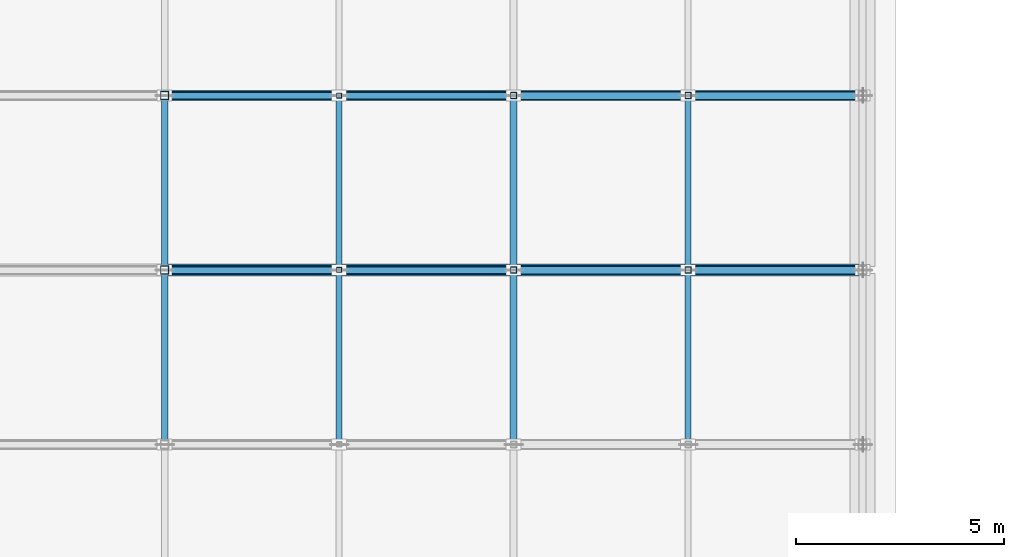
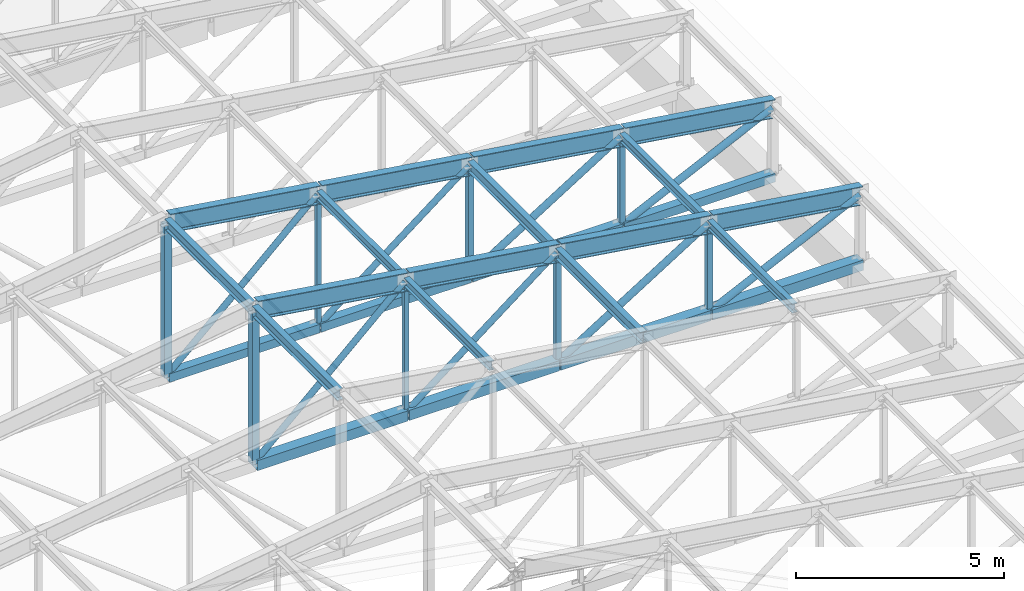
# One storey, part 33 of 122: 40 members.
"""IFC4 building model written with IfcOpenShell, lengths in metres."""

from ifc_helpers import new_model, si_unit, direction, frame, origin, origin_2d, place, context, subcontext, project, spatial, hollow_rectangle, hollow_circle, i_section, extrude, material, material_profile, profile_set, type_object, element, save


model = new_model("IFC4")

# Units and contexts
model_context = context("Model", 3, precision=1e-05, world=origin(), true_north=direction((0.0, 1.0)))
body_context = subcontext(model_context, "Body", "Model", "MODEL_VIEW")
ifc_project = project(units=[si_unit("LENGTHUNIT", "METRE"), si_unit("AREAUNIT", "SQUARE_METRE"), si_unit("VOLUMEUNIT", "CUBIC_METRE"), si_unit("PLANEANGLEUNIT", "RADIAN"), si_unit("MASSUNIT", "GRAM", prefix="KILO")], contexts=[model_context])

# Site, building, storey
site_placement = place(None, origin())
site = spatial("IfcSite", under=ifc_project, at=site_placement, CompositionType="ELEMENT")
building_placement = place(site_placement, origin())
building = spatial("IfcBuilding", under=site, at=building_placement, Name="Telukmera Botanical Conservatory", CompositionType="ELEMENT")
storey_placement = place(building_placement, frame((0.0, 0.0, 10.199951171875)))
storey = spatial("IfcBuildingStorey", under=building, at=storey_placement, Name="L02", CompositionType="ELEMENT", Elevation=10.199951171875)

# Members
ifc_material = material(Name="Steel S355", Category="steel")
ifc_material_profile_1 = material_profile(ifc_material, i_section(OverallWidth=0.210693359375, OverallDepth=0.53955078125, WebThickness=0.01171875, FlangeThickness=0.018798828125, FilletRadius=0.0126953125, at=origin_2d()), Name="UB 533x210x109")
ifc_profile_set_1 = profile_set([ifc_material_profile_1], Name="Steel S355")
member_type_1 = type_object("IfcMemberType", Name="Mem_TC1", PredefinedType="CHORD", material=ifc_profile_set_1)
member_1_placement = place(storey_placement, frame((25.2197265625, 100.0, 4.427734375), z_axis=(0.989022603236, 0.0, -0.147764306545), x_axis=(0.0, 1.0, 0.0)))
element("IfcMember", 1, at=member_1_placement, inside=storey, type_object=member_type_1, Name="Auditorium Pratt Truss Top Chord T5-5", PredefinedType="CHORD", context=body_context, shape_type="SweptSolid", body=[
    extrude(i_section(OverallWidth=0.210693359375, OverallDepth=0.53955078125, WebThickness=0.01171875, FlangeThickness=0.018798828125, FilletRadius=0.0126953125, at=origin_2d()), origin(), (0.0, 0.0, 1.0), 4.20654296875),
])
member_2_placement = place(storey_placement, frame((29.419921875, 100.0, 3.800048828125), z_axis=(0.989021335912, 0.0, -0.147772788805), x_axis=(0.0, 1.0, 0.0)))
element("IfcMember", 2, at=member_2_placement, inside=storey, type_object=member_type_1, Name="Auditorium Pratt Truss Top Chord T5-6", PredefinedType="CHORD", context=body_context, shape_type="SweptSolid", body=[
    extrude(i_section(OverallWidth=0.210693359375, OverallDepth=0.53955078125, WebThickness=0.01171875, FlangeThickness=0.018798828125, FilletRadius=0.0126953125, at=origin_2d()), origin(), (0.0, 0.0, 1.0), 4.206298828125),
])
for number, where, z_axis, x_axis, name in (
    (3, (33.619873046875, 100.0, 3.17236328125), (0.989022603236, 0.0, -0.147764306545), (0.0, 1.0, 0.0), "Auditorium Pratt Truss Top Chord T5-7"),
    (4, (37.81982421875, 100.0, 2.544677734375), (0.989022603236, 0.0, -0.147764306545), (0.0, 1.0, 0.0), "Auditorium Pratt Truss Top Chord T5-8"),
    (5, (25.2197265625, 104.199951171875, 4.427734375), (0.989022603236, 0.0, -0.147764306545), (0.0, 1.0, 0.0), "Auditorium Pratt Truss Top Chord T6-5"),
):
    element("IfcMember", number, at=place(storey_placement, frame(where, z_axis=z_axis, x_axis=x_axis)), inside=storey, type_object=member_type_1, Name=name, PredefinedType="CHORD", context=body_context, shape_type="SweptSolid", body=[
        extrude(i_section(OverallWidth=0.210693359375, OverallDepth=0.53955078125, WebThickness=0.01171875, FlangeThickness=0.018798828125, FilletRadius=0.0126953125, at=origin_2d()), origin(), (0.0, 0.0, 1.0), 4.20654296875),
    ])
member_3_placement = place(storey_placement, frame((29.419921875, 104.199951171875, 3.800048828125), z_axis=(0.989021335912, 0.0, -0.147772788805), x_axis=(0.0, 1.0, 0.0)))
element("IfcMember", 6, at=member_3_placement, inside=storey, type_object=member_type_1, Name="Auditorium Pratt Truss Top Chord T6-6", PredefinedType="CHORD", context=body_context, shape_type="SweptSolid", body=[
    extrude(i_section(OverallWidth=0.210693359375, OverallDepth=0.53955078125, WebThickness=0.01171875, FlangeThickness=0.018798828125, FilletRadius=0.0126953125, at=origin_2d()), origin(), (0.0, 0.0, 1.0), 4.206298828125),
])
for number, where, z_axis, x_axis, name in (
    (7, (33.619873046875, 104.199951171875, 3.17236328125), (0.989022603236, 0.0, -0.147764306545), (0.0, 1.0, 0.0), "Auditorium Pratt Truss Top Chord T6-7"),
    (8, (37.81982421875, 104.199951171875, 2.544677734375), (0.989022603236, 0.0, -0.147764306545), (0.0, 1.0, 0.0), "Auditorium Pratt Truss Top Chord T6-8"),
):
    element("IfcMember", number, at=place(storey_placement, frame(where, z_axis=z_axis, x_axis=x_axis)), inside=storey, type_object=member_type_1, Name=name, PredefinedType="CHORD", context=body_context, shape_type="SweptSolid", body=[
        extrude(i_section(OverallWidth=0.210693359375, OverallDepth=0.53955078125, WebThickness=0.01171875, FlangeThickness=0.018798828125, FilletRadius=0.0126953125, at=origin_2d()), origin(), (0.0, 0.0, 1.0), 4.20654296875),
    ])
ifc_material_profile_2 = material_profile(ifc_material, hollow_rectangle(XDim=0.25, YDim=0.25, WallThickness=0.012451171875, at=origin_2d()), Name="SHS 250x250x12.5")
ifc_profile_set_2 = profile_set([ifc_material_profile_2], Name="Steel S355")
member_type_2 = type_object("IfcMemberType", Name="Mem_TC2", PredefinedType="CHORD", material=ifc_profile_set_2)
member_4_placement = place(storey_placement, frame((25.219970703125, 104.199951171875, -0.079833984375), z_axis=(1.0, 0.0, 0.0), x_axis=(0.0, 1.0, 0.0)))
element("IfcMember", 9, at=member_4_placement, inside=storey, type_object=member_type_2, Name="Auditorium Pratt Truss Bottom Chord T6-5", PredefinedType="CHORD", context=body_context, shape_type="SweptSolid", body=[
    extrude(hollow_rectangle(XDim=0.25, YDim=0.25, WallThickness=0.012451171875, at=origin_2d()), origin(), (0.0, 0.0, 1.0), 4.159912109375),
])
member_5_placement = place(storey_placement, frame((29.419921875, 104.199951171875, -0.079833984375), z_axis=(1.0, 0.0, 0.0), x_axis=(0.0, 1.0, 0.0)))
element("IfcMember", 10, at=member_5_placement, inside=storey, type_object=member_type_2, Name="Auditorium Pratt Truss Bottom Chord T6-6", PredefinedType="CHORD", context=body_context, shape_type="SweptSolid", body=[
    extrude(hollow_rectangle(XDim=0.25, YDim=0.25, WallThickness=0.012451171875, at=origin_2d()), origin(), (0.0, 0.0, 1.0), 4.16015625),
])
member_6_placement = place(storey_placement, frame((33.6201171875, 104.199951171875, -0.079833984375), z_axis=(1.0, 0.0, 0.0), x_axis=(0.0, 1.0, 0.0)))
element("IfcMember", 11, at=member_6_placement, inside=storey, type_object=member_type_2, Name="Auditorium Pratt Truss Bottom Chord T6-7", PredefinedType="CHORD", context=body_context, shape_type="SweptSolid", body=[
    extrude(hollow_rectangle(XDim=0.25, YDim=0.25, WallThickness=0.012451171875, at=origin_2d()), origin(), (0.0, 0.0, 1.0), 4.159912109375),
])
member_7_placement = place(storey_placement, frame((37.820068359375, 104.199951171875, -0.079833984375), z_axis=(1.0, 0.0, 0.0), x_axis=(0.0, 1.0, 0.0)))
element("IfcMember", 12, at=member_7_placement, inside=storey, type_object=member_type_2, Name="Auditorium Pratt Truss Bottom Chord T6-8", PredefinedType="CHORD", context=body_context, shape_type="SweptSolid", body=[
    extrude(hollow_rectangle(XDim=0.25, YDim=0.25, WallThickness=0.012451171875, at=origin_2d()), origin(), (0.0, 0.0, 1.0), 4.179931640625),
])
ifc_material_profile_3 = material_profile(ifc_material, hollow_rectangle(XDim=0.300048828125, YDim=0.300048828125, WallThickness=0.012451171875, at=origin_2d()), Name="SHS 300x300x12.5")
ifc_profile_set_3 = profile_set([ifc_material_profile_3], Name="Steel S355")
member_type_3 = type_object("IfcMemberType", Name="Mem_TC3", PredefinedType="CHORD", material=ifc_profile_set_3)
member_8_placement = place(storey_placement, frame((25.219970703125, 100.0, -0.079833984375), z_axis=(1.0, 0.0, 0.0), x_axis=(0.0, 1.0, 0.0)))
element("IfcMember", 13, at=member_8_placement, inside=storey, type_object=member_type_3, Name="Auditorium Pratt Truss Bottom Chord T5-5", PredefinedType="CHORD", context=body_context, shape_type="SweptSolid", body=[
    extrude(hollow_rectangle(XDim=0.300048828125, YDim=0.300048828125, WallThickness=0.012451171875, at=origin_2d()), origin(), (0.0, 0.0, 1.0), 4.159912109375),
])
member_9_placement = place(storey_placement, frame((29.419921875, 100.0, -0.079833984375), z_axis=(1.0, 0.0, 0.0), x_axis=(0.0, 1.0, 0.0)))
element("IfcMember", 14, at=member_9_placement, inside=storey, type_object=member_type_3, Name="Auditorium Pratt Truss Bottom Chord T5-6", PredefinedType="CHORD", context=body_context, shape_type="SweptSolid", body=[
    extrude(hollow_rectangle(XDim=0.300048828125, YDim=0.300048828125, WallThickness=0.012451171875, at=origin_2d()), origin(), (0.0, 0.0, 1.0), 4.16015625),
])
member_10_placement = place(storey_placement, frame((33.6201171875, 100.0, -0.079833984375), z_axis=(1.0, 0.0, 0.0), x_axis=(0.0, 1.0, 0.0)))
element("IfcMember", 15, at=member_10_placement, inside=storey, type_object=member_type_3, Name="Auditorium Pratt Truss Bottom Chord T5-7", PredefinedType="CHORD", context=body_context, shape_type="SweptSolid", body=[
    extrude(hollow_rectangle(XDim=0.300048828125, YDim=0.300048828125, WallThickness=0.012451171875, at=origin_2d()), origin(), (0.0, 0.0, 1.0), 4.159912109375),
])
member_11_placement = place(storey_placement, frame((37.820068359375, 100.0, -0.079833984375), z_axis=(1.0, 0.0, 0.0), x_axis=(0.0, 1.0, 0.0)))
element("IfcMember", 16, at=member_11_placement, inside=storey, type_object=member_type_3, Name="Auditorium Pratt Truss Bottom Chord T5-8", PredefinedType="CHORD", context=body_context, shape_type="SweptSolid", body=[
    extrude(hollow_rectangle(XDim=0.300048828125, YDim=0.300048828125, WallThickness=0.012451171875, at=origin_2d()), origin(), (0.0, 0.0, 1.0), 4.179931640625),
])
ifc_material_profile_4 = material_profile(ifc_material, hollow_circle(Radius=0.096923828125, WallThickness=0.008056640625, at=origin_2d()), Name="CHS 193.7x8.0")
ifc_profile_set_4 = profile_set([ifc_material_profile_4], Name="Steel S355")
member_type_4 = type_object("IfcMemberType", Name="Mem_TD1", PredefinedType="BRACE", material=ifc_profile_set_4)
member_12_placement = place(storey_placement, frame((33.62548828125, 100.0, -0.06396484375), z_axis=(0.84777122797, 0.0, 0.530362088601), x_axis=(0.0, 1.0, 0.0)))
element("IfcMember", 17, at=member_12_placement, inside=storey, type_object=member_type_4, Name="Auditorium Pratt Truss Web Diagonal T5-D7", PredefinedType="BRACE", context=body_context, shape_type="SweptSolid", body=[
    extrude(hollow_circle(Radius=0.096923828125, WallThickness=0.008056640625, at=origin_2d()), origin(), (0.0, 0.0, 1.0), 4.894287109375),
])
member_13_placement = place(storey_placement, frame((37.8271484375, 100.0, -0.067138671875), z_axis=(0.902843811044, 0.0, 0.429968664973), x_axis=(0.0, 1.0, 0.0)))
element("IfcMember", 18, at=member_13_placement, inside=storey, type_object=member_type_4, Name="Auditorium Pratt Truss Web Diagonal T5-D8", PredefinedType="BRACE", context=body_context, shape_type="SweptSolid", body=[
    extrude(hollow_circle(Radius=0.096923828125, WallThickness=0.008056640625, at=origin_2d()), origin(), (0.0, 0.0, 1.0), 4.591796875),
])
member_14_placement = place(storey_placement, frame((33.62548828125, 104.199951171875, -0.06396484375), z_axis=(0.84777122797, 0.0, 0.530362088601), x_axis=(0.0, 1.0, 0.0)))
element("IfcMember", 19, at=member_14_placement, inside=storey, type_object=member_type_4, Name="Auditorium Pratt Truss Web Diagonal T6-D7", PredefinedType="BRACE", context=body_context, shape_type="SweptSolid", body=[
    extrude(hollow_circle(Radius=0.096923828125, WallThickness=0.008056640625, at=origin_2d()), origin(), (0.0, 0.0, 1.0), 4.894287109375),
])
member_15_placement = place(storey_placement, frame((37.8271484375, 104.199951171875, -0.067138671875), z_axis=(0.902843811044, 0.0, 0.429968664973), x_axis=(0.0, 1.0, 0.0)))
element("IfcMember", 20, at=member_15_placement, inside=storey, type_object=member_type_4, Name="Auditorium Pratt Truss Web Diagonal T6-D8", PredefinedType="BRACE", context=body_context, shape_type="SweptSolid", body=[
    extrude(hollow_circle(Radius=0.096923828125, WallThickness=0.008056640625, at=origin_2d()), origin(), (0.0, 0.0, 1.0), 4.591796875),
])
ifc_material_profile_5 = material_profile(ifc_material, hollow_circle(Radius=0.084228515625, WallThickness=0.008056640625, at=origin_2d()), Name="CHS 168.3x8.0")
ifc_profile_set_5 = profile_set([ifc_material_profile_5], Name="Steel S355")
member_type_5 = type_object("IfcMemberType", Name="Mem_TD2", PredefinedType="BRACE", material=ifc_profile_set_5)
member_16_placement = place(storey_placement, frame((25.221923828125, 100.0, -0.0595703125), z_axis=(0.734277342079, 0.0, 0.678849604044), x_axis=(0.0, 1.0, 0.0)))
element("IfcMember", 21, at=member_16_placement, inside=storey, type_object=member_type_5, Name="Auditorium Pratt Truss Web Diagonal T5-D5", PredefinedType="BRACE", context=body_context, shape_type="SweptSolid", body=[
    extrude(hollow_circle(Radius=0.084228515625, WallThickness=0.008056640625, at=origin_2d()), origin(), (0.0, 0.0, 1.0), 5.659912109375),
])
member_17_placement = place(storey_placement, frame((29.423583984375, 100.0, -0.0615234375), z_axis=(0.790409427435, 0.0, 0.612578923097), x_axis=(0.0, 1.0, 0.0)))
element("IfcMember", 22, at=member_17_placement, inside=storey, type_object=member_type_5, Name="Auditorium Pratt Truss Web Diagonal T5-D6", PredefinedType="BRACE", context=body_context, shape_type="SweptSolid", body=[
    extrude(hollow_circle(Radius=0.084228515625, WallThickness=0.008056640625, at=origin_2d()), origin(), (0.0, 0.0, 1.0), 5.25390625),
])
member_18_placement = place(storey_placement, frame((25.221923828125, 104.199951171875, -0.0595703125), z_axis=(0.734277342079, 0.0, 0.678849604044), x_axis=(0.0, 1.0, 0.0)))
element("IfcMember", 23, at=member_18_placement, inside=storey, type_object=member_type_5, Name="Auditorium Pratt Truss Web Diagonal T6-D5", PredefinedType="BRACE", context=body_context, shape_type="SweptSolid", body=[
    extrude(hollow_circle(Radius=0.084228515625, WallThickness=0.008056640625, at=origin_2d()), origin(), (0.0, 0.0, 1.0), 5.659912109375),
])
member_19_placement = place(storey_placement, frame((29.423583984375, 104.199951171875, -0.0615234375), z_axis=(0.790409427435, 0.0, 0.612578923097), x_axis=(0.0, 1.0, 0.0)))
element("IfcMember", 24, at=member_19_placement, inside=storey, type_object=member_type_5, Name="Auditorium Pratt Truss Web Diagonal T6-D6", PredefinedType="BRACE", context=body_context, shape_type="SweptSolid", body=[
    extrude(hollow_circle(Radius=0.084228515625, WallThickness=0.008056640625, at=origin_2d()), origin(), (0.0, 0.0, 1.0), 5.25390625),
])
ifc_material_profile_6 = material_profile(ifc_material, i_section(OverallWidth=0.165771484375, OverallDepth=0.306640625, WebThickness=0.006591796875, FlangeThickness=0.01171875, FilletRadius=0.0087890625, at=origin_2d()), Name="UB 305x165x46")
ifc_profile_set_6 = profile_set([ifc_material_profile_6], Name="Steel S355")
member_type_6 = type_object("IfcMemberType", Name="Mem_TPB1", PredefinedType="PURLIN", material=ifc_profile_set_6)
for number, where, z_axis, x_axis, name in (
    (25, (25.199951171875, 95.860107421875, 4.430908203125), (0.0, 1.0, 0.0), (-1.0, 0.0, 0.0), "Auditorium Roof Steel Purlin P4-4"),
    (26, (33.60009765625, 95.860107421875, 3.175537109375), (0.0, 1.0, 0.0), (-1.0, 0.0, 0.0), "Auditorium Roof Steel Purlin P4-6"),
    (27, (25.199951171875, 100.06005859375, 4.430908203125), (0.0, 1.0, 0.0), (-1.0, 0.0, 0.0), "Auditorium Roof Steel Purlin P5-4"),
    (28, (33.60009765625, 100.06005859375, 3.175537109375), (0.0, 1.0, 0.0), (-1.0, 0.0, 0.0), "Auditorium Roof Steel Purlin P5-6"),
):
    element("IfcMember", number, at=place(storey_placement, frame(where, z_axis=z_axis, x_axis=x_axis)), inside=storey, type_object=member_type_6, Name=name, PredefinedType="PURLIN", context=body_context, shape_type="SweptSolid", body=[
        extrude(i_section(OverallWidth=0.165771484375, OverallDepth=0.306640625, WebThickness=0.006591796875, FlangeThickness=0.01171875, FilletRadius=0.0087890625, at=origin_2d()), origin(), (0.0, 0.0, 1.0), 4.079833984375),
    ])
ifc_material_profile_7 = material_profile(ifc_material, i_section(OverallWidth=0.146484375, OverallDepth=0.256103515625, WebThickness=0.00634765625, FlangeThickness=0.010986328125, FilletRadius=0.007568359375, at=origin_2d()), Name="UB 254x146x37")
ifc_profile_set_7 = profile_set([ifc_material_profile_7], Name="Steel S355")
member_type_7 = type_object("IfcMemberType", Name="Mem_TPB2", PredefinedType="PURLIN", material=ifc_profile_set_7)
for number, where, z_axis, x_axis, name in (
    (29, (29.39990234375, 95.860107421875, 3.80322265625), (0.0, 1.0, 0.0), (-1.0, 0.0, 0.0), "Auditorium Roof Steel Purlin P4-5"),
    (30, (37.800048828125, 95.860107421875, 2.5478515625), (0.0, 1.0, 0.0), (-1.0, 0.0, 0.0), "Auditorium Roof Steel Purlin P4-7"),
    (31, (29.39990234375, 100.06005859375, 3.80322265625), (0.0, 1.0, 0.0), (-1.0, 0.0, 0.0), "Auditorium Roof Steel Purlin P5-5"),
    (32, (37.800048828125, 100.06005859375, 2.5478515625), (0.0, 1.0, 0.0), (-1.0, 0.0, 0.0), "Auditorium Roof Steel Purlin P5-7"),
):
    element("IfcMember", number, at=place(storey_placement, frame(where, z_axis=z_axis, x_axis=x_axis)), inside=storey, type_object=member_type_7, Name=name, PredefinedType="PURLIN", context=body_context, shape_type="SweptSolid", body=[
        extrude(i_section(OverallWidth=0.146484375, OverallDepth=0.256103515625, WebThickness=0.00634765625, FlangeThickness=0.010986328125, FilletRadius=0.007568359375, at=origin_2d()), origin(), (0.0, 0.0, 1.0), 4.079833984375),
    ])
ifc_material_profile_8 = material_profile(ifc_material, hollow_rectangle(XDim=0.199951171875, YDim=0.199951171875, WallThickness=0.010009765625, at=origin_2d()), Name="SHS 200x200x10.0")
ifc_profile_set_8 = profile_set([ifc_material_profile_8], Name="Steel S355")
member_type_8 = type_object("IfcMemberType", Name="Mem_TV1", PredefinedType="POST", material=ifc_profile_set_8)
for number, where, z_axis, x_axis, name in (
    (33, (25.199951171875, 100.0, -0.06005859375), (0.0, 0.0, 1.0), (1.0, 0.0, 0.0), "Auditorium Pratt Truss Vertical T5-V4"),
    (34, (25.199951171875, 104.199951171875, -0.06005859375), (0.0, 0.0, 1.0), (1.0, 0.0, 0.0), "Auditorium Pratt Truss Vertical T6-V4"),
):
    element("IfcMember", number, at=place(storey_placement, frame(where, z_axis=z_axis, x_axis=x_axis)), inside=storey, type_object=member_type_8, Name=name, PredefinedType="POST", context=body_context, shape_type="SweptSolid", body=[
        extrude(hollow_rectangle(XDim=0.199951171875, YDim=0.199951171875, WallThickness=0.010009765625, at=origin_2d()), origin(), (0.0, 0.0, 1.0), 4.470947265625),
    ])
ifc_material_profile_9 = material_profile(ifc_material, hollow_rectangle(XDim=0.14990234375, YDim=0.14990234375, WallThickness=0.008056640625, at=origin_2d()), Name="SHS 150x150x8.0")
ifc_profile_set_9 = profile_set([ifc_material_profile_9], Name="Steel S355")
member_type_9 = type_object("IfcMemberType", Name="Mem_TV2", PredefinedType="POST", material=ifc_profile_set_9)
member_20_placement = place(storey_placement, frame((33.60009765625, 100.0, -0.06005859375), z_axis=(0.0, 0.0, 1.0), x_axis=(1.0, 0.0, 0.0)))
element("IfcMember", 35, at=member_20_placement, inside=storey, type_object=member_type_9, Name="Auditorium Pratt Truss Vertical T5-V6", PredefinedType="POST", context=body_context, shape_type="SweptSolid", body=[
    extrude(hollow_rectangle(XDim=0.14990234375, YDim=0.14990234375, WallThickness=0.008056640625, at=origin_2d()), origin(), (0.0, 0.0, 1.0), 3.215576171875),
])
member_21_placement = place(storey_placement, frame((37.800048828125, 100.0, -0.06005859375), z_axis=(0.0, 0.0, 1.0), x_axis=(1.0, 0.0, 0.0)))
element("IfcMember", 36, at=member_21_placement, inside=storey, type_object=member_type_9, Name="Auditorium Pratt Truss Vertical T5-V7", PredefinedType="POST", context=body_context, shape_type="SweptSolid", body=[
    extrude(hollow_rectangle(XDim=0.14990234375, YDim=0.14990234375, WallThickness=0.008056640625, at=origin_2d()), origin(), (0.0, 0.0, 1.0), 2.587890625),
])
member_22_placement = place(storey_placement, frame((33.60009765625, 104.199951171875, -0.06005859375), z_axis=(0.0, 0.0, 1.0), x_axis=(1.0, 0.0, 0.0)))
element("IfcMember", 37, at=member_22_placement, inside=storey, type_object=member_type_9, Name="Auditorium Pratt Truss Vertical T6-V6", PredefinedType="POST", context=body_context, shape_type="SweptSolid", body=[
    extrude(hollow_rectangle(XDim=0.14990234375, YDim=0.14990234375, WallThickness=0.008056640625, at=origin_2d()), origin(), (0.0, 0.0, 1.0), 3.215576171875),
])
member_23_placement = place(storey_placement, frame((37.800048828125, 104.199951171875, -0.06005859375), z_axis=(0.0, 0.0, 1.0), x_axis=(1.0, 0.0, 0.0)))
element("IfcMember", 38, at=member_23_placement, inside=storey, type_object=member_type_9, Name="Auditorium Pratt Truss Vertical T6-V7", PredefinedType="POST", context=body_context, shape_type="SweptSolid", body=[
    extrude(hollow_rectangle(XDim=0.14990234375, YDim=0.14990234375, WallThickness=0.008056640625, at=origin_2d()), origin(), (0.0, 0.0, 1.0), 2.587890625),
])
ifc_material_profile_10 = material_profile(ifc_material, hollow_rectangle(XDim=0.1201171875, YDim=0.1201171875, WallThickness=0.00634765625, at=origin_2d()), Name="SHS 120x120x6.3")
ifc_profile_set_10 = profile_set([ifc_material_profile_10], Name="Steel S355")
member_type_10 = type_object("IfcMemberType", Name="Mem_TV3", PredefinedType="POST", material=ifc_profile_set_10)
for number, where, z_axis, x_axis, name in (
    (39, (29.39990234375, 100.0, -0.06005859375), (0.0, 0.0, 1.0), (1.0, 0.0, 0.0), "Auditorium Pratt Truss Vertical T5-V5"),
    (40, (29.39990234375, 104.199951171875, -0.06005859375), (0.0, 0.0, 1.0), (1.0, 0.0, 0.0), "Auditorium Pratt Truss Vertical T6-V5"),
):
    element("IfcMember", number, at=place(storey_placement, frame(where, z_axis=z_axis, x_axis=x_axis)), inside=storey, type_object=member_type_10, Name=name, PredefinedType="POST", context=body_context, shape_type="SweptSolid", body=[
        extrude(hollow_rectangle(XDim=0.1201171875, YDim=0.1201171875, WallThickness=0.00634765625, at=origin_2d()), origin(), (0.0, 0.0, 1.0), 3.84326171875),
    ])

save(model, "model.ifc")
